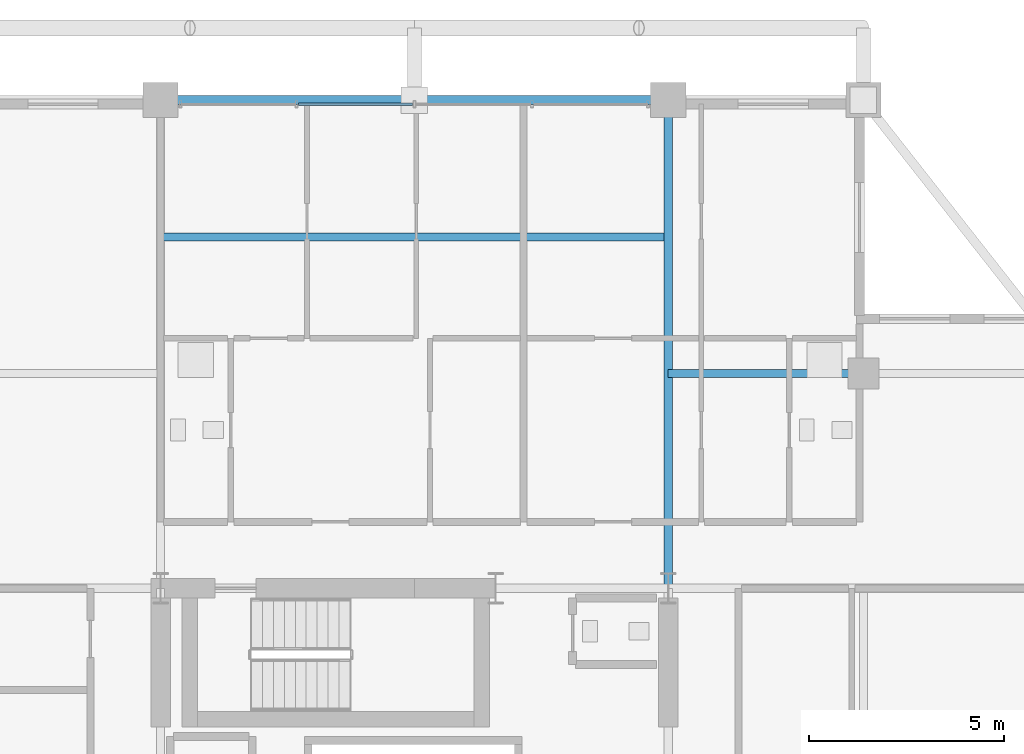
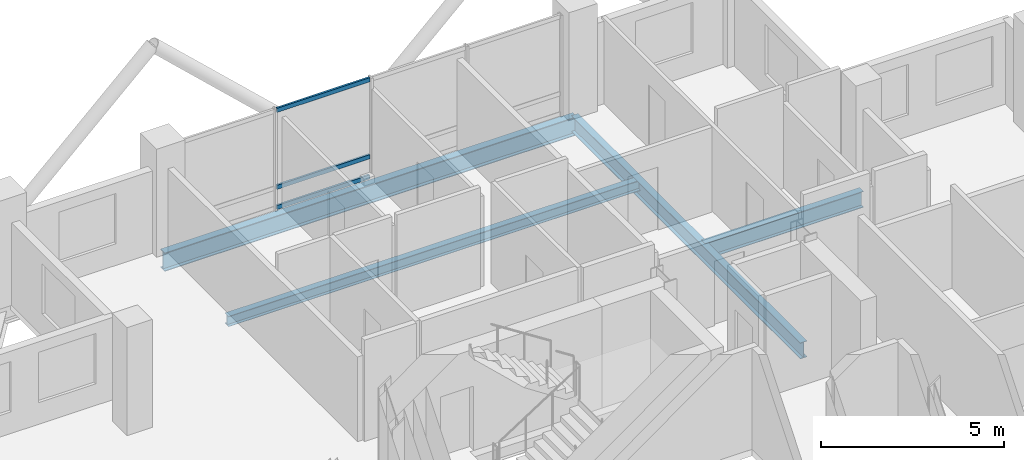
# One storey, part 16 of 24: 4 beams, 3 members, 1 element without a shape of its own.
"""IFC4 building model written with IfcOpenShell, lengths in metres."""

import ifcopenshell
import ifcopenshell.guid

model = None  # the IFC model being written
_history = None  # IfcOwnerHistory: only IFC2X3 demands one
_inside = {}  # id of a spatial element -> (the spatial element, [elements in it])
_under = {}  # id of a project, library or spatial element -> (it, [spatial elements below it])
_declared = {}  # id of a project -> (the project, [libraries it declares])
_typed = {}  # id of a type object -> (the type object, [elements of that type])
_made_of = {}  # id of a material, layer set ... -> (it, [elements and type objects made of it])


def new_model(schema):
    """Start an empty IFC model of exactly this schema.

    Asked for "IFC4X3", IfcOpenShell would pick the latest addendum, in which some entities
    have other attributes; the version numbers below select the first issue.
    IFC2X3 requires an IfcOwnerHistory on every rooted entity: one is made here for all.
    """
    global model, _history
    if schema == "IFC4X3":
        model = ifcopenshell.file(schema_version=(4, 3, 0, 0))
    else:
        model = ifcopenshell.file(schema=schema)
    _inside.clear()
    _under.clear()
    _declared.clear()
    _typed.clear()
    _made_of.clear()
    _history = None
    if model.schema == "IFC2X3":
        org = make("IfcOrganization", Name="unknown")
        user = make(
            "IfcPersonAndOrganization",
            ThePerson=make("IfcPerson", FamilyName="unknown"),
            TheOrganization=org,
        )
        app = make(
            "IfcApplication",
            ApplicationDeveloper=org,
            Version="unknown",
            ApplicationFullName="unknown",
            ApplicationIdentifier="unknown",
        )
        _history = make(
            "IfcOwnerHistory",
            OwningUser=user,
            OwningApplication=app,
            ChangeAction="ADDED",
            CreationDate=0,
        )
    return model


def make(cls, **values):
    """One entity of the class cls with the attributes given. An attribute that is None is left unset."""
    return model.create_entity(
        cls, **{name: value for name, value in values.items() if value is not None}
    )


def rooted(cls, **values):
    """An entity with a GlobalId (a new one), such as an element, a storey or a relation."""
    return make(cls, GlobalId=ifcopenshell.guid.new(), OwnerHistory=_history, **values)


def si_unit(unit_type, name, prefix=None):
    """IfcSIUnit, for example si_unit("LENGTHUNIT", "METRE", prefix="MILLI")."""
    return make("IfcSIUnit", UnitType=unit_type, Prefix=prefix, Name=name)


def assignment(units):
    """IfcUnitAssignment: the units of a project."""
    return None if units is None else make("IfcUnitAssignment", Units=units)


def point(xyz):
    """IfcCartesianPoint."""
    return None if xyz is None else make("IfcCartesianPoint", Coordinates=xyz)


def direction(xyz):
    """IfcDirection."""
    return None if xyz is None else make("IfcDirection", DirectionRatios=xyz)


def frame(location, z_axis=None, x_axis=None):
    """IfcAxis2Placement3D, a coordinate frame: its origin and axes. An axis left out is left unset."""
    return make(
        "IfcAxis2Placement3D",
        Location=point(location),
        Axis=direction(z_axis),
        RefDirection=direction(x_axis),
    )


def frame_2d(location, x_axis=None):
    """IfcAxis2Placement2D, a coordinate frame in the plane: its origin and x axis."""
    return make(
        "IfcAxis2Placement2D", Location=point(location), RefDirection=direction(x_axis)
    )


def origin():
    """The frame at (0, 0, 0) with its axes left unset."""
    return frame((0.0, 0.0, 0.0))


def origin_2d():
    """The frame at (0, 0) in the plane with its x axis left unset."""
    return frame_2d((0.0, 0.0))


def place(relative_to, where):
    """IfcLocalPlacement: puts the frame where relative to a parent placement (None: the world)."""
    return make(
        "IfcLocalPlacement", PlacementRelTo=relative_to, RelativePlacement=where
    )


def context(
    kind, dimensions, precision=None, world=None, true_north=None, identifier=None
):
    """IfcGeometricRepresentationContext, for example the 3D "Model" context."""
    return make(
        "IfcGeometricRepresentationContext",
        ContextIdentifier=identifier,
        ContextType=kind,
        CoordinateSpaceDimension=dimensions,
        Precision=precision,
        WorldCoordinateSystem=world,
        TrueNorth=true_north,
    )


def subcontext(parent, identifier, kind, view, scale=None):
    """IfcGeometricRepresentationSubContext, for example "Body" below "Model"."""
    return make(
        "IfcGeometricRepresentationSubContext",
        ContextIdentifier=identifier,
        ContextType=kind,
        ParentContext=parent,
        TargetScale=scale,
        TargetView=view,
    )


def project(units=None, contexts=None):
    """IfcProject with its units and contexts."""
    return rooted(
        "IfcProject",
        Name="project",
        RepresentationContexts=contexts,
        UnitsInContext=assignment(units),
    )


def spatial(cls, under=None, at=None, **own):
    """A site, building, storey or space (cls), placed at a placement, below another one or the project."""
    s = rooted(cls, ObjectPlacement=at, **own)
    if under is not None:
        _under.setdefault(under.id(), (under, []))[1].append(s)
    return s


def profile(cls, at=None, kind="AREA", **sizes):
    """A parametric profile (cls). Its sizes go by their IFC names, for example OverallWidth=200.0."""
    return make(cls, ProfileType=kind, Position=at, **sizes)


def hollow_rectangle(**sizes):
    """IfcRectangleHollowProfileDef."""
    return profile("IfcRectangleHollowProfileDef", **sizes)


def i_section(**sizes):
    """IfcIShapeProfileDef."""
    return profile("IfcIShapeProfileDef", **sizes)


def extrude(swept, where, along, depth):
    """IfcExtrudedAreaSolid: the profile swept, set in the frame where, extruded along a direction by depth."""
    return make(
        "IfcExtrudedAreaSolid",
        SweptArea=swept,
        Position=where,
        ExtrudedDirection=direction(along),
        Depth=depth,
    )


def shape(context_of_items, identifier, shape_type, items):
    """IfcShapeRepresentation: the items that make up one representation, for example the "Body"."""
    return make(
        "IfcShapeRepresentation",
        ContextOfItems=context_of_items,
        RepresentationIdentifier=identifier,
        RepresentationType=shape_type,
        Items=items,
    )


def material(Name=None, Category=None):
    """IfcMaterial."""
    return make("IfcMaterial", Name=Name, Category=Category)


def layer(
    of_material, thickness, ventilated=None, Name=None, Category=None, Priority=None
):
    """IfcMaterialLayer: one layer of a wall or slab, of a material (None: an air gap)."""
    return make(
        "IfcMaterialLayer",
        Material=of_material,
        LayerThickness=thickness,
        IsVentilated=ventilated,
        Name=Name,
        Category=Category,
        Priority=Priority,
    )


def layer_set(layers, Name=None):
    """IfcMaterialLayerSet."""
    return make("IfcMaterialLayerSet", MaterialLayers=layers, LayerSetName=Name)


def material_profile(
    of_material, cross_section, Name=None, Category=None, Priority=None
):
    """IfcMaterialProfile: a cross section and its material."""
    return make(
        "IfcMaterialProfile",
        Name=Name,
        Material=of_material,
        Profile=cross_section,
        Priority=Priority,
        Category=Category,
    )


def profile_set(profiles, Name=None, composite=None):
    """IfcMaterialProfileSet."""
    return make(
        "IfcMaterialProfileSet",
        Name=Name,
        MaterialProfiles=profiles,
        CompositeProfile=composite,
    )


def made_of(thing, what):
    """Note that an element or type object is made of a material, layer set ...; save() writes the relation."""
    if what is not None:
        _made_of.setdefault(what.id(), (what, []))[1].append(thing)
    return thing


def type_object(cls, material=None, **own):
    """A type object (cls), such as IfcWallType, which elements share."""
    return made_of(rooted(cls, **own), material)


def element(
    cls,
    number,
    at=None,
    inside=None,
    cuts=None,
    type_object=None,
    material=None,
    context=None,
    identifier="Body",
    shape_type=None,
    held_by="IfcProductDefinitionShape",
    body=None,
    shapes=None,
    **own,
):
    """One element of the class cls, such as IfcWall. Its Tag is "e" and its number.

    at: its placement. inside: the storey or other place that contains it. cuts: it is an
    opening in that element (IfcRelVoidsElement). A single representation is given by context,
    identifier, shape_type and body (its items); several are given by shapes. held_by: the class
    of the entity that holds the representations. save() writes the other relations.
    """
    e = rooted(cls, Tag="e%d" % number, ObjectPlacement=at, **own)
    if body is not None:
        shapes = [shape(context, identifier, shape_type, body)]
    if shapes is not None:
        e.Representation = make(held_by, Representations=shapes)
    if inside is not None:
        _inside.setdefault(inside.id(), (inside, []))[1].append(e)
    if cuts is not None:
        rooted(
            "IfcRelVoidsElement", RelatingBuildingElement=cuts, RelatedOpeningElement=e
        )
    if type_object is not None:
        _typed.setdefault(type_object.id(), (type_object, []))[1].append(e)
    return made_of(e, material)


def aggregate(whole, parts):
    """IfcRelAggregates: a whole, such as a stair, and the parts it consists of."""
    return rooted("IfcRelAggregates", RelatingObject=whole, RelatedObjects=parts)


def save(model, path):
    """Write the relations noted so far, then the file.

    IfcRelAggregates (storeys below a building ...), IfcRelContainedInSpatialStructure (elements
    in a storey), IfcRelDefinesByType, IfcRelAssociatesMaterial and IfcRelDeclares: one each for
    every whole, place, type object, material and project.
    """
    for whole, parts in _under.values():
        aggregate(whole, parts)
    for where, things in _inside.values():
        rooted(
            "IfcRelContainedInSpatialStructure",
            RelatedElements=things,
            RelatingStructure=where,
        )
    for kind, things in _typed.values():
        rooted("IfcRelDefinesByType", RelatedObjects=things, RelatingType=kind)
    for what, things in _made_of.values():
        rooted("IfcRelAssociatesMaterial", RelatedObjects=things, RelatingMaterial=what)
    for by, libraries in _declared.values():
        rooted("IfcRelDeclares", RelatingContext=by, RelatedDefinitions=libraries)
    model.write(path)


model = new_model("IFC4")

# Units and contexts
model_context = context("Model", 3, precision=1e-05, world=origin(), true_north=direction((0.0, 1.0)))
body_context = subcontext(model_context, "Body", "Model", "MODEL_VIEW")
ifc_project = project(units=[si_unit("LENGTHUNIT", "METRE"), si_unit("AREAUNIT", "SQUARE_METRE"), si_unit("VOLUMEUNIT", "CUBIC_METRE"), si_unit("PLANEANGLEUNIT", "RADIAN"), si_unit("MASSUNIT", "GRAM", prefix="KILO")], contexts=[model_context])

# Site, building, storey
site_placement = place(None, origin())
site = spatial("IfcSite", under=ifc_project, at=site_placement, CompositionType="ELEMENT")
building_placement = place(site_placement, origin())
building = spatial("IfcBuilding", under=site, at=building_placement, Name="Barlavira Tower and Art Museum", CompositionType="ELEMENT")
storey_placement = place(building_placement, frame((0.0, 0.0, 240.300048828125)))
storey = spatial("IfcBuildingStorey", under=building, at=storey_placement, Name="L62", CompositionType="ELEMENT", Elevation=240.300048828125)

# Curtain wall, members
ifc_material_1 = material(Name="Low-iron coastal laminated glass", Category="glass")
ifc_layer = layer(ifc_material_1, 0.2099609375, Name="Low-iron coastal laminated glass")
ifc_layer_set = layer_set([ifc_layer], Name="Low-iron coastal laminated glass")
curtain_wall_type = type_object("IfcCurtainWallType", Name="Pale-Metal Unitised Curtain Wall Zone 4", PredefinedType="NOTDEFINED", material=ifc_layer_set)
curtain_wall_placement = place(storey_placement, origin())
curtain_wall = element("IfcCurtainWall", 1, at=curtain_wall_placement, inside=storey, type_object=curtain_wall_type, Name="L62 Curtain Wall CW4-L62-N-B2", PredefinedType="NOTDEFINED")
ifc_material_2 = material(Name="Pale anodised aluminium", Category="aluminium")
ifc_material_profile_1 = material_profile(ifc_material_2, hollow_rectangle(XDim=0.06494140625, YDim=0.139892578125, WallThickness=0.00390625, at=origin_2d()), Name="ALU-TRAN 65x140x4")
ifc_profile_set_1 = profile_set([ifc_material_profile_1], Name="Pale anodised aluminium")
member_type = type_object("IfcMemberType", Name="Curtain Wall Pale-Metal Transom 65x140", PredefinedType="USERDEFINED", material=ifc_profile_set_1)
member_1_placement = place(storey_placement, frame((-0.044921875, 19.89990234375, 0.070068359375), z_axis=(-1.0, 0.0, 0.0), x_axis=(0.0, -1.0, 0.0)))
member_1 = element("IfcMember", 2, at=member_1_placement, type_object=member_type, Name="CW4-L62-N-B2 Transom 2.1", ObjectType="TRANSOM", PredefinedType="USERDEFINED", context=body_context, shape_type="SweptSolid", body=[
    extrude(hollow_rectangle(XDim=0.06494140625, YDim=0.139892578125, WallThickness=0.00390625, at=origin_2d()), origin(), (0.0, 0.0, 1.0), 2.925048828125),
])
member_2_placement = place(storey_placement, frame((-0.044921875, 19.89990234375, 0.743896484375), z_axis=(-1.0, 0.0, 0.0), x_axis=(0.0, -1.0, 0.0)))
member_2 = element("IfcMember", 3, at=member_2_placement, type_object=member_type, Name="CW4-L62-N-B2 Transom 2.2", ObjectType="TRANSOM", PredefinedType="USERDEFINED", context=body_context, shape_type="SweptSolid", body=[
    extrude(hollow_rectangle(XDim=0.06494140625, YDim=0.139892578125, WallThickness=0.00390625, at=origin_2d()), origin(), (0.0, 0.0, 1.0), 2.925048828125),
])
member_3_placement = place(storey_placement, frame((-0.044921875, 19.89990234375, 3.31005859375), z_axis=(-1.0, 0.0, 0.0), x_axis=(0.0, -1.0, 0.0)))
member_3 = element("IfcMember", 4, at=member_3_placement, type_object=member_type, Name="CW4-L62-N-B2 Transom 2.3", ObjectType="TRANSOM", PredefinedType="USERDEFINED", context=body_context, shape_type="SweptSolid", body=[
    extrude(hollow_rectangle(XDim=0.06494140625, YDim=0.139892578125, WallThickness=0.00390625, at=origin_2d()), origin(), (0.0, 0.0, 1.0), 2.925048828125),
])
aggregate(curtain_wall, [member_1, member_2, member_3])

# Beams
ifc_material_3 = material(Name="Steel S355", Category="steel")
ifc_material_profile_2 = material_profile(ifc_material_3, i_section(OverallWidth=0.22998046875, OverallDepth=0.616943359375, WebThickness=0.01318359375, FlangeThickness=0.022216796875, at=origin_2d()), Name="W610x140.0")
ifc_profile_set_2 = profile_set([ifc_material_profile_2], Name="Steel S355")
beam_type_1 = type_object("IfcBeamType", Name="Upper Shaft Spandrel Edge Beam W610x140 Steel S355", PredefinedType="SPANDREL", material=ifc_profile_set_2)
beam_1_placement = place(storey_placement, frame((-6.5, 20.0, -0.528564453125), z_axis=(1.0, 0.0, 0.0), x_axis=(0.0, 1.0, 0.0)))
element("IfcBeam", 5, at=beam_1_placement, inside=storey, type_object=beam_type_1, Name="L62 Spandrel 10", PredefinedType="SPANDREL", context=body_context, shape_type="SweptSolid", body=[
    extrude(i_section(OverallWidth=0.22998046875, OverallDepth=0.616943359375, WebThickness=0.01318359375, FlangeThickness=0.022216796875, at=origin_2d()), origin(), (0.0, 0.0, 1.0), 13.0),
])
ifc_material_profile_3 = material_profile(ifc_material_3, i_section(OverallWidth=0.2109375, OverallDepth=0.5390625, WebThickness=0.01171875, FlangeThickness=0.018798828125, at=origin_2d()), Name="W530x109.0")
ifc_profile_set_3 = profile_set([ifc_material_profile_3], Name="Steel S355")
beam_type_2 = type_object("IfcBeamType", Name="Zone 3-4 Primary Floor Girder W530x109 Steel S355", PredefinedType="BEAM", material=ifc_profile_set_3)
beam_2_placement = place(storey_placement, frame((6.5, 7.5, -0.489501953125), z_axis=(0.0, 1.0, 0.0), x_axis=(-1.0, 0.0, 0.0)))
element("IfcBeam", 6, at=beam_2_placement, inside=storey, type_object=beam_type_2, Name="L62 Girder R-N2", PredefinedType="BEAM", context=body_context, shape_type="SweptSolid", body=[
    extrude(i_section(OverallWidth=0.2109375, OverallDepth=0.5390625, WebThickness=0.01171875, FlangeThickness=0.018798828125, at=origin_2d()), origin(), (0.0, 0.0, 1.0), 12.5),
])
beam_3_placement = place(storey_placement, frame((6.5, 13.0, -0.489501953125), z_axis=(1.0, 0.0, 0.0), x_axis=(0.0, 1.0, 0.0)))
element("IfcBeam", 7, at=beam_3_placement, inside=storey, type_object=beam_type_2, Name="L62 Girder I-N3", PredefinedType="BEAM", context=body_context, shape_type="SweptSolid", body=[
    extrude(i_section(OverallWidth=0.2109375, OverallDepth=0.5390625, WebThickness=0.01171875, FlangeThickness=0.018798828125, at=origin_2d()), origin(), (0.0, 0.0, 1.0), 5.0),
])
ifc_material_profile_4 = material_profile(ifc_material_3, i_section(OverallWidth=0.202880859375, OverallDepth=0.346923828125, WebThickness=0.0078125, FlangeThickness=0.013427734375, at=origin_2d()), Name="W360x64.0")
ifc_profile_set_4 = profile_set([ifc_material_profile_4], Name="Steel S355")
beam_type_3 = type_object("IfcBeamType", Name="Zone 4 Composite Floor Joist W360x64 Steel S355", PredefinedType="JOIST", material=ifc_profile_set_4)
beam_4_placement = place(storey_placement, frame((-6.5, 16.5, -0.3935546875), z_axis=(1.0, 0.0, 0.0), x_axis=(0.0, 1.0, 0.0)))
element("IfcBeam", 8, at=beam_4_placement, inside=storey, type_object=beam_type_3, Name="L62 Joist C2", PredefinedType="JOIST", context=body_context, shape_type="SweptSolid", body=[
    extrude(i_section(OverallWidth=0.202880859375, OverallDepth=0.346923828125, WebThickness=0.0078125, FlangeThickness=0.013427734375, at=origin_2d()), origin(), (0.0, 0.0, 1.0), 13.0),
])

save(model, "model.ifc")
